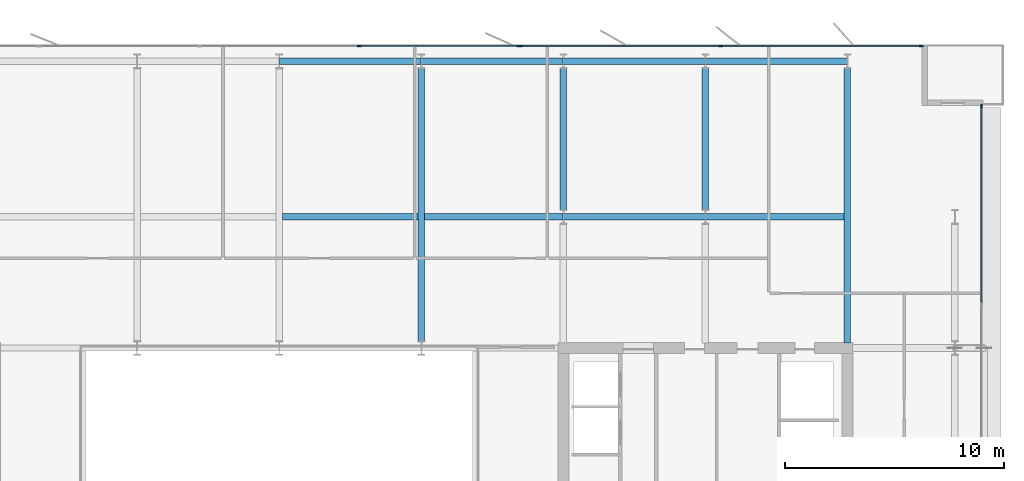
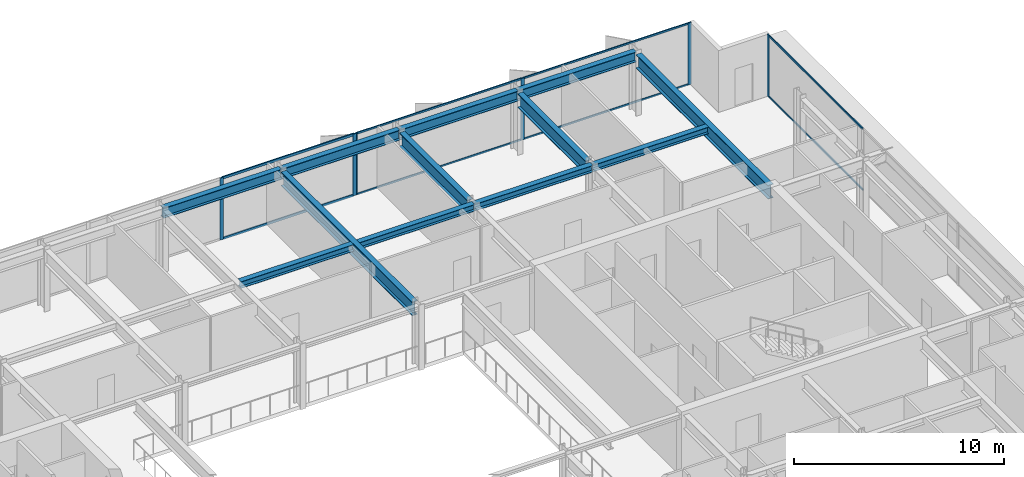
# One storey, part 9 of 19: 14 members, 12 beams, 3 elements without a shape of their own.
"""IFC4 building model written with IfcOpenShell, lengths in metres."""

from ifc_helpers import new_model, si_unit, direction, frame, origin, origin_2d, place, context, subcontext, project, spatial, rectangle, i_section, extrude, material, layer, layer_set, material_profile, profile_set, type_object, element, aggregate, save


model = new_model("IFC4")

# Units and contexts
model_context = context("Model", 3, precision=1e-05, world=origin(), true_north=direction((0.0, 1.0)))
body_context = subcontext(model_context, "Body", "Model", "MODEL_VIEW")
ifc_project = project(units=[si_unit("LENGTHUNIT", "METRE"), si_unit("AREAUNIT", "SQUARE_METRE"), si_unit("VOLUMEUNIT", "CUBIC_METRE"), si_unit("PLANEANGLEUNIT", "RADIAN"), si_unit("MASSUNIT", "GRAM", prefix="KILO")], contexts=[model_context])

# Site, building, storey
site_placement = place(None, origin())
site = spatial("IfcSite", under=ifc_project, at=site_placement, CompositionType="ELEMENT")
building_placement = place(site_placement, origin())
building = spatial("IfcBuilding", under=site, at=building_placement, Name="Putna Gate Headquarters", CompositionType="ELEMENT")
storey_placement = place(building_placement, frame((0.0, 0.0, 267.0)))
storey = spatial("IfcBuildingStorey", under=building, at=storey_placement, Name="L67", CompositionType="ELEMENT", Elevation=267.0)

# Beams
ifc_material_1 = material(Name="Steel S355J2", Category="steel")
ifc_material_profile_1 = material_profile(ifc_material_1, i_section(OverallWidth=0.300048828125, OverallDepth=0.800048828125, WebThickness=0.017578125, FlangeThickness=0.032958984375, at=origin_2d()), Name="Steel S355J2")
ifc_profile_set_1 = profile_set([ifc_material_profile_1], Name="Steel S355J2")
beam_type_1 = type_object("IfcBeamType", Name="BM-GIRD-P-HEB800", PredefinedType="USERDEFINED", material=ifc_profile_set_1)
beam_1_placement = place(storey_placement, frame((45.5, 33.322021484375, 3.18798828125), z_axis=(0.0, 1.0, 0.0), x_axis=(-1.0, 0.0, 0.0)))
element("IfcBeam", 1, at=beam_1_placement, inside=storey, type_object=beam_type_1, Name="L67 North Primary Girder X45", ObjectType="GIRDER", PredefinedType="USERDEFINED", context=body_context, shape_type="SweptSolid", body=[
    extrude(i_section(OverallWidth=0.300048828125, OverallDepth=0.800048828125, WebThickness=0.017578125, FlangeThickness=0.032958984375, at=origin_2d()), origin(), (0.0, 0.0, 1.0), 12.47607421875),
])
for number, where, z_axis, x_axis, name in (
    (2, (52.0, 39.322021484375, 3.18798828125), (0.0, 1.0, 0.0), (-1.0, 0.0, 0.0), "L67 North Primary Girder X52-2"),
    (3, (58.5, 39.322021484375, 3.18798828125), (0.0, 1.0, 0.0), (-1.0, 0.0, 0.0), "L67 North Primary Girder X58-2"),
):
    element("IfcBeam", number, at=place(storey_placement, frame(where, z_axis=z_axis, x_axis=x_axis)), inside=storey, type_object=beam_type_1, Name=name, ObjectType="GIRDER", PredefinedType="USERDEFINED", context=body_context, shape_type="SweptSolid", body=[
        extrude(i_section(OverallWidth=0.300048828125, OverallDepth=0.800048828125, WebThickness=0.017578125, FlangeThickness=0.032958984375, at=origin_2d()), origin(), (0.0, 0.0, 1.0), 6.47607421875),
    ])
beam_2_placement = place(storey_placement, frame((65.0, 33.235107421875, 3.18798828125), z_axis=(0.0, 1.0, 0.0), x_axis=(-1.0, 0.0, 0.0)))
element("IfcBeam", 4, at=beam_2_placement, inside=storey, type_object=beam_type_1, Name="L67 North Primary Girder X65", ObjectType="GIRDER", PredefinedType="USERDEFINED", context=body_context, shape_type="SweptSolid", body=[
    extrude(i_section(OverallWidth=0.300048828125, OverallDepth=0.800048828125, WebThickness=0.017578125, FlangeThickness=0.032958984375, at=origin_2d()), origin(), (0.0, 0.0, 1.0), 12.56298828125),
])
ifc_material_profile_2 = material_profile(ifc_material_1, i_section(OverallWidth=0.300048828125, OverallDepth=0.389892578125, WebThickness=0.010986328125, FlangeThickness=0.01904296875, at=origin_2d()), Name="Steel S355J2")
ifc_profile_set_2 = profile_set([ifc_material_profile_2], Name="Steel S355J2")
beam_type_2 = type_object("IfcBeamType", Name="BM-SEC-Z5-HEA400", PredefinedType="BEAM", material=ifc_profile_set_2)
beam_3_placement = place(storey_placement, frame((39.154052734375, 39.0, 3.39306640625), z_axis=(1.0, 0.0, 0.0), x_axis=(0.0, 1.0, 0.0)))
element("IfcBeam", 5, at=beam_3_placement, inside=storey, type_object=beam_type_2, Name="L67 North Secondary Beam 5", PredefinedType="BEAM", context=body_context, shape_type="SweptSolid", body=[
    extrude(i_section(OverallWidth=0.300048828125, OverallDepth=0.389892578125, WebThickness=0.010986328125, FlangeThickness=0.01904296875, at=origin_2d()), origin(), (0.0, 0.0, 1.0), 6.19189453125),
])
beam_4_placement = place(storey_placement, frame((45.654052734375, 39.0, 3.39306640625), z_axis=(1.0, 0.0, 0.0), x_axis=(0.0, 1.0, 0.0)))
element("IfcBeam", 6, at=beam_4_placement, inside=storey, type_object=beam_type_2, Name="L67 North Secondary Beam 6", PredefinedType="BEAM", context=body_context, shape_type="SweptSolid", body=[
    extrude(i_section(OverallWidth=0.300048828125, OverallDepth=0.389892578125, WebThickness=0.010986328125, FlangeThickness=0.01904296875, at=origin_2d()), origin(), (0.0, 0.0, 1.0), 6.33984375),
])
beam_5_placement = place(storey_placement, frame((52.006103515625, 39.0, 3.39306640625), z_axis=(1.0, 0.0, 0.0), x_axis=(0.0, 1.0, 0.0)))
element("IfcBeam", 7, at=beam_5_placement, inside=storey, type_object=beam_type_2, Name="L67 North Secondary Beam 7", PredefinedType="BEAM", context=body_context, shape_type="SweptSolid", body=[
    extrude(i_section(OverallWidth=0.300048828125, OverallDepth=0.389892578125, WebThickness=0.010986328125, FlangeThickness=0.01904296875, at=origin_2d()), origin(), (0.0, 0.0, 1.0), 6.48779296875),
])
beam_6_placement = place(storey_placement, frame((58.506103515625, 39.0, 3.39306640625), z_axis=(1.0, 0.0, 0.0), x_axis=(0.0, 1.0, 0.0)))
element("IfcBeam", 8, at=beam_6_placement, inside=storey, type_object=beam_type_2, Name="L67 North Secondary Beam 8", PredefinedType="BEAM", context=body_context, shape_type="SweptSolid", body=[
    extrude(i_section(OverallWidth=0.300048828125, OverallDepth=0.389892578125, WebThickness=0.010986328125, FlangeThickness=0.01904296875, at=origin_2d()), origin(), (0.0, 0.0, 1.0), 6.33984375),
])
ifc_material_profile_3 = material_profile(ifc_material_1, i_section(OverallWidth=0.300048828125, OverallDepth=0.590087890625, WebThickness=0.012939453125, FlangeThickness=0.02490234375, at=origin_2d()), Name="Steel S355J2")
ifc_profile_set_3 = profile_set([ifc_material_profile_3], Name="Steel S355J2")
beam_type_3 = type_object("IfcBeamType", Name="BM-SPAN-Z4-HEA600", PredefinedType="SPANDREL", material=ifc_profile_set_3)
for number, where, z_axis, x_axis, name in (
    (9, (39.006103515625, 46.1201171875, 3.29296875), (1.0, 0.0, 0.0), (0.0, 1.0, 0.0), "L67 N Perimeter Spandrel 5"),
    (10, (45.506103515625, 46.1201171875, 3.29296875), (1.0, 0.0, 0.0), (0.0, 1.0, 0.0), "L67 N Perimeter Spandrel 6"),
    (11, (52.006103515625, 46.1201171875, 3.29296875), (1.0, 0.0, 0.0), (0.0, 1.0, 0.0), "L67 N Perimeter Spandrel 7"),
    (12, (58.506103515625, 46.1201171875, 3.29296875), (1.0, 0.0, 0.0), (0.0, 1.0, 0.0), "L67 N Perimeter Spandrel 8"),
):
    element("IfcBeam", number, at=place(storey_placement, frame(where, z_axis=z_axis, x_axis=x_axis)), inside=storey, type_object=beam_type_3, Name=name, PredefinedType="SPANDREL", context=body_context, shape_type="SweptSolid", body=[
        extrude(i_section(OverallWidth=0.300048828125, OverallDepth=0.590087890625, WebThickness=0.012939453125, FlangeThickness=0.02490234375, at=origin_2d()), origin(), (0.0, 0.0, 1.0), 6.48779296875),
    ])

# Curtain wall, members
ifc_material_2 = material(Name="Anodised bronze aluminium curtain wall", Category="aluminium")
ifc_layer_1 = layer(ifc_material_2, 0.179931640625)
ifc_layer_set_1 = layer_set([ifc_layer_1], Name="Anodised bronze aluminium curtain wall")
curtain_wall_type_1 = type_object("IfcCurtainWallType", Name="CW-SYS-Z5", PredefinedType="USERDEFINED", material=ifc_layer_set_1)
curtain_wall_1_placement = place(storey_placement, origin())
curtain_wall_1 = element("IfcCurtainWall", 13, at=curtain_wall_1_placement, inside=storey, type_object=curtain_wall_type_1, Name="L67 North East Curtain Wall", ObjectType="STICK CURTAIN WALL", PredefinedType="USERDEFINED")
ifc_material_3 = material(Name="Anodised bronze aluminium EN AW-6060", Category="aluminium")
ifc_material_profile_4 = material_profile(ifc_material_3, rectangle(XDim=0.070068359375, YDim=0.179931640625, at=origin_2d()), Name="Anodised bronze aluminium EN AW-6060")
ifc_profile_set_4 = profile_set([ifc_material_profile_4], Name="Anodised bronze aluminium EN AW-6060")
member_type_1 = type_object("IfcMemberType", Name="MULL-CWM-5", PredefinedType="MULLION", material=ifc_profile_set_4)
member_1_placement = place(storey_placement, frame((50.034912109375, 46.820068359375, 0.0), z_axis=(0.0, 0.0, 1.0), x_axis=(0.0, 1.0, 0.0)))
member_1 = element("IfcMember", 14, at=member_1_placement, type_object=member_type_1, Name="CWS-5 mullion 1", PredefinedType="MULLION", context=body_context, shape_type="SweptSolid", body=[
    extrude(rectangle(XDim=0.070068359375, YDim=0.179931640625, at=origin_2d()), origin(), (0.0, 0.0, 1.0), 3.587890625),
])
member_2_placement = place(storey_placement, frame((59.20751953125, 46.820068359375, 0.0), z_axis=(0.0, 0.0, 1.0), x_axis=(0.0, 1.0, 0.0)))
member_2 = element("IfcMember", 15, at=member_2_placement, type_object=member_type_1, Name="CWS-5 mullion 2", PredefinedType="MULLION", context=body_context, shape_type="SweptSolid", body=[
    extrude(rectangle(XDim=0.070068359375, YDim=0.179931640625, at=origin_2d()), origin(), (0.0, 0.0, 1.0), 3.587890625),
])
member_3_placement = place(storey_placement, frame((68.3798828125, 46.820068359375, 0.0), z_axis=(0.0, 0.0, 1.0), x_axis=(0.0, 1.0, 0.0)))
member_3 = element("IfcMember", 16, at=member_3_placement, type_object=member_type_1, Name="CWS-5 mullion 3", PredefinedType="MULLION", context=body_context, shape_type="SweptSolid", body=[
    extrude(rectangle(XDim=0.070068359375, YDim=0.179931640625, at=origin_2d()), origin(), (0.0, 0.0, 1.0), 3.587890625),
])

# Curtain wall, member
curtain_wall_2_placement = place(storey_placement, origin())
curtain_wall_2 = element("IfcCurtainWall", 17, at=curtain_wall_2_placement, inside=storey, type_object=curtain_wall_type_1, Name="L67 East Curtain Wall", ObjectType="STICK CURTAIN WALL", PredefinedType="USERDEFINED")
member_4_placement = place(storey_placement, frame((71.135009765625, 44.06494140625, 0.0), z_axis=(0.0, 0.0, 1.0), x_axis=(-1.0, 0.0, 0.0)))
member_4 = element("IfcMember", 18, at=member_4_placement, type_object=member_type_1, Name="CWS-5 mullion 5", PredefinedType="MULLION", context=body_context, shape_type="SweptSolid", body=[
    extrude(rectangle(XDim=0.070068359375, YDim=0.179931640625, at=origin_2d()), origin(), (0.0, 0.0, 1.0), 3.587890625),
])

# Curtain wall, members
ifc_layer_2 = layer(ifc_material_2, 0.179931640625)
ifc_layer_set_2 = layer_set([ifc_layer_2], Name="Anodised bronze aluminium curtain wall")
curtain_wall_type_2 = type_object("IfcCurtainWallType", Name="CW-SYS-ATR", PredefinedType="USERDEFINED", material=ifc_layer_set_2)
curtain_wall_3_placement = place(storey_placement, origin())
curtain_wall_3 = element("IfcCurtainWall", 19, at=curtain_wall_3_placement, inside=storey, type_object=curtain_wall_type_2, Name="L67 North Atrium Clear Glazing", ObjectType="ATRIUM GLAZING", PredefinedType="USERDEFINED")
ifc_material_profile_5 = material_profile(ifc_material_3, rectangle(XDim=0.070068359375, YDim=0.179931640625, at=origin_2d()), Name="Anodised bronze aluminium EN AW-6060")
ifc_profile_set_5 = profile_set([ifc_material_profile_5], Name="Anodised bronze aluminium EN AW-6060")
member_type_2 = type_object("IfcMemberType", Name="MULL-CWM-AT", PredefinedType="MULLION", material=ifc_profile_set_5)
member_5_placement = place(storey_placement, frame((42.666748046875, 46.820068359375, 0.0), z_axis=(0.0, 0.0, 1.0), x_axis=(0.0, 1.0, 0.0)))
member_5 = element("IfcMember", 20, at=member_5_placement, type_object=member_type_2, Name="CWS-AT mullion 3", PredefinedType="MULLION", context=body_context, shape_type="SweptSolid", body=[
    extrude(rectangle(XDim=0.070068359375, YDim=0.179931640625, at=origin_2d()), origin(), (0.0, 0.0, 1.0), 3.587890625),
])
member_6_placement = place(storey_placement, frame((49.965087890625, 46.820068359375, 0.0), z_axis=(0.0, 0.0, 1.0), x_axis=(0.0, 1.0, 0.0)))
member_6 = element("IfcMember", 21, at=member_6_placement, type_object=member_type_2, Name="CWS-AT mullion 4", PredefinedType="MULLION", context=body_context, shape_type="SweptSolid", body=[
    extrude(rectangle(XDim=0.070068359375, YDim=0.179931640625, at=origin_2d()), origin(), (0.0, 0.0, 1.0), 3.587890625),
])

# Member
ifc_material_profile_6 = material_profile(ifc_material_3, rectangle(XDim=0.06005859375, YDim=0.10009765625, at=origin_2d()), Name="Anodised bronze aluminium EN AW-6060")
ifc_profile_set_6 = profile_set([ifc_material_profile_6], Name="Anodised bronze aluminium EN AW-6060")
member_type_3 = type_object("IfcMemberType", Name="TRAN-CWT-5", PredefinedType="USERDEFINED", material=ifc_profile_set_6)
member_7_placement = place(storey_placement, frame((50.070068359375, 46.820068359375, 0.030029296875), z_axis=(1.0, 0.0, 0.0), x_axis=(0.0, 1.0, 0.0)))
member_7 = element("IfcMember", 22, at=member_7_placement, type_object=member_type_3, Name="CWS-5 transom 1.1", ObjectType="TRANSOM", PredefinedType="USERDEFINED", context=body_context, shape_type="SweptSolid", body=[
    extrude(rectangle(XDim=0.06005859375, YDim=0.10009765625, at=origin_2d()), origin(), (0.0, 0.0, 1.0), 9.1025390625),
])

member_8_placement = place(storey_placement, frame((50.070068359375, 46.820068359375, 3.55810546875), z_axis=(1.0, 0.0, 0.0), x_axis=(0.0, 1.0, 0.0)))
member_8 = element("IfcMember", 23, at=member_8_placement, type_object=member_type_3, Name="CWS-5 transom 1.2", ObjectType="TRANSOM", PredefinedType="USERDEFINED", context=body_context, shape_type="SweptSolid", body=[
    extrude(rectangle(XDim=0.06005859375, YDim=0.10009765625, at=origin_2d()), origin(), (0.0, 0.0, 1.0), 9.1025390625),
])

member_9_placement = place(storey_placement, frame((59.242431640625, 46.820068359375, 0.030029296875), z_axis=(1.0, 0.0, 0.0), x_axis=(0.0, 1.0, 0.0)))
member_9 = element("IfcMember", 24, at=member_9_placement, type_object=member_type_3, Name="CWS-5 transom 2.1", ObjectType="TRANSOM", PredefinedType="USERDEFINED", context=body_context, shape_type="SweptSolid", body=[
    extrude(rectangle(XDim=0.06005859375, YDim=0.10009765625, at=origin_2d()), origin(), (0.0, 0.0, 1.0), 9.1025390625),
])

member_10_placement = place(storey_placement, frame((59.242431640625, 46.820068359375, 3.55810546875), z_axis=(1.0, 0.0, 0.0), x_axis=(0.0, 1.0, 0.0)))
member_10 = element("IfcMember", 25, at=member_10_placement, type_object=member_type_3, Name="CWS-5 transom 2.2", ObjectType="TRANSOM", PredefinedType="USERDEFINED", context=body_context, shape_type="SweptSolid", body=[
    extrude(rectangle(XDim=0.06005859375, YDim=0.10009765625, at=origin_2d()), origin(), (0.0, 0.0, 1.0), 9.1025390625),
])

aggregate(curtain_wall_1, [member_1, member_2, member_3, member_7, member_8, member_9, member_10])

member_11_placement = place(storey_placement, frame((71.135009765625, 35.0849609375, 0.030029296875), z_axis=(0.0, 1.0, 0.0), x_axis=(-1.0, 0.0, 0.0)))
member_11 = element("IfcMember", 26, at=member_11_placement, type_object=member_type_3, Name="CWS-5 transom 4.1", ObjectType="TRANSOM", PredefinedType="USERDEFINED", context=body_context, shape_type="SweptSolid", body=[
    extrude(rectangle(XDim=0.06005859375, YDim=0.10009765625, at=origin_2d()), origin(), (0.0, 0.0, 1.0), 8.945068359375),
])

member_12_placement = place(storey_placement, frame((71.135009765625, 35.0849609375, 3.55810546875), z_axis=(0.0, 1.0, 0.0), x_axis=(-1.0, 0.0, 0.0)))
member_12 = element("IfcMember", 27, at=member_12_placement, type_object=member_type_3, Name="CWS-5 transom 4.2", ObjectType="TRANSOM", PredefinedType="USERDEFINED", context=body_context, shape_type="SweptSolid", body=[
    extrude(rectangle(XDim=0.06005859375, YDim=0.10009765625, at=origin_2d()), origin(), (0.0, 0.0, 1.0), 8.945068359375),
])

aggregate(curtain_wall_2, [member_4, member_11, member_12])

ifc_material_profile_7 = material_profile(ifc_material_3, rectangle(XDim=0.070068359375, YDim=0.139892578125, at=origin_2d()), Name="Anodised bronze aluminium EN AW-6060")
ifc_profile_set_7 = profile_set([ifc_material_profile_7], Name="Anodised bronze aluminium EN AW-6060")
member_type_4 = type_object("IfcMemberType", Name="TRAN-CWT-AT", PredefinedType="USERDEFINED", material=ifc_profile_set_7)
member_13_placement = place(storey_placement, frame((42.70166015625, 46.820068359375, 0.034912109375), z_axis=(1.0, 0.0, 0.0), x_axis=(0.0, 1.0, 0.0)))
member_13 = element("IfcMember", 28, at=member_13_placement, type_object=member_type_4, Name="CWS-AT transom 3.1", ObjectType="TRANSOM", PredefinedType="USERDEFINED", context=body_context, shape_type="SweptSolid", body=[
    extrude(rectangle(XDim=0.070068359375, YDim=0.139892578125, at=origin_2d()), origin(), (0.0, 0.0, 1.0), 7.228271484375),
])

member_14_placement = place(storey_placement, frame((42.70166015625, 46.820068359375, 3.552978515625), z_axis=(1.0, 0.0, 0.0), x_axis=(0.0, 1.0, 0.0)))
member_14 = element("IfcMember", 29, at=member_14_placement, type_object=member_type_4, Name="CWS-AT transom 3.2", ObjectType="TRANSOM", PredefinedType="USERDEFINED", context=body_context, shape_type="SweptSolid", body=[
    extrude(rectangle(XDim=0.070068359375, YDim=0.139892578125, at=origin_2d()), origin(), (0.0, 0.0, 1.0), 7.228271484375),
])

aggregate(curtain_wall_3, [member_5, member_6, member_13, member_14])

save(model, "model.ifc")
